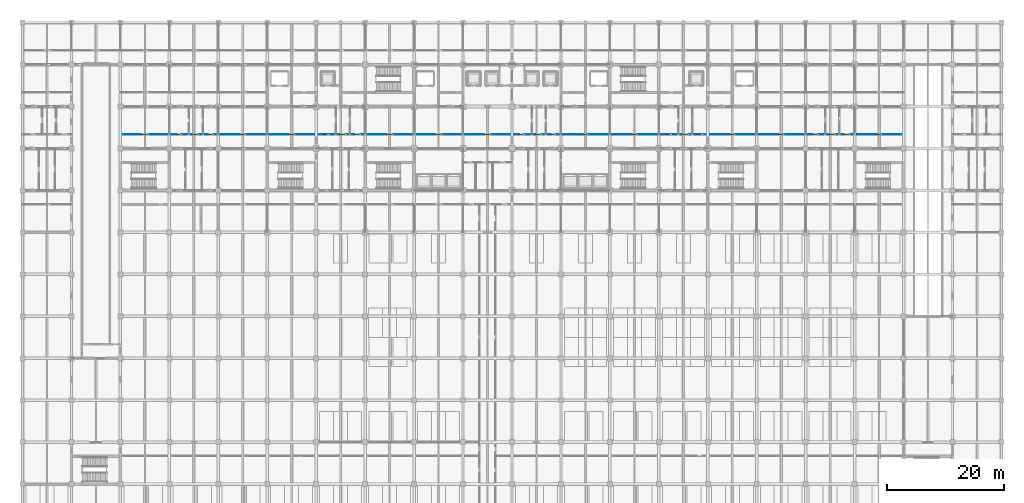
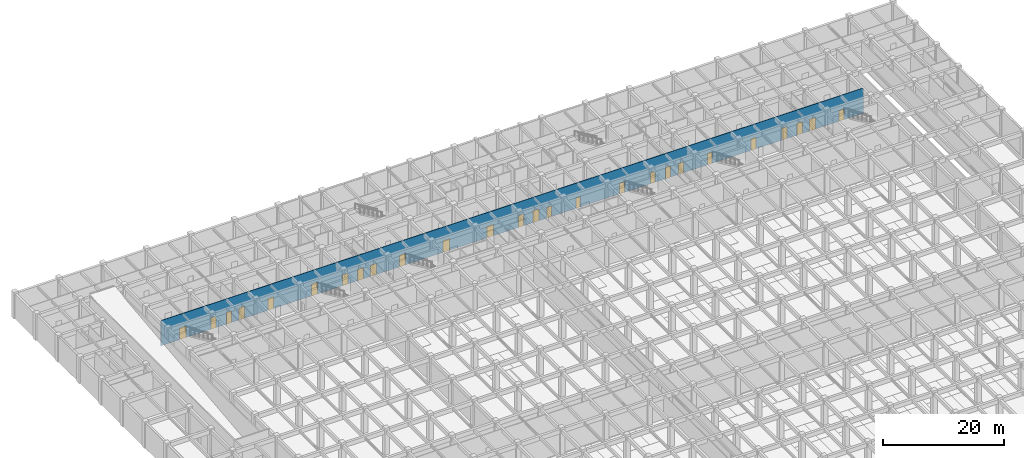
# One storey, part 30 of 48: 26 doors, 1 wall, 26 openings.
"""IFC4 building model written with IfcOpenShell, lengths in metres."""

from ifc_helpers import new_model, si_unit, direction, frame, frame_2d, origin, place, context, subcontext, project, spatial, rectangle, extrude, material, layer, layer_set, type_object, element, fill, save


model = new_model("IFC4")

# Units and contexts
model_context = context("Model", 3, precision=1e-05, world=origin(), true_north=direction((0.0, 1.0)))
body_context = subcontext(model_context, "Body", "Model", "MODEL_VIEW")
ifc_project = project(units=[si_unit("LENGTHUNIT", "METRE"), si_unit("AREAUNIT", "SQUARE_METRE"), si_unit("VOLUMEUNIT", "CUBIC_METRE"), si_unit("PLANEANGLEUNIT", "RADIAN"), si_unit("MASSUNIT", "GRAM", prefix="KILO")], contexts=[model_context])

# Site, building, storey
site_placement = place(None, origin())
site = spatial("IfcSite", under=ifc_project, at=site_placement, CompositionType="ELEMENT")
building_placement = place(site_placement, origin())
building = spatial("IfcBuilding", under=site, at=building_placement, Name="Chengyuan Square Courthouse", CompositionType="ELEMENT")
storey_placement = place(building_placement, frame((0.0, 0.0, -5.39990234375)))
storey = spatial("IfcBuildingStorey", under=building, at=storey_placement, Name="B01", CompositionType="ELEMENT", Elevation=-5.39990234375)

# Wall, openings, doors
ifc_material_1 = material(Name="Gypsum Plasterboard Acoustic Stud Partition")
ifc_layer = layer(ifc_material_1, 0.10009765625)
ifc_layer_set = layer_set([ifc_layer], Name="Gypsum Plasterboard Acoustic Stud Partition")
wall_type = type_object("IfcWallType", Name="WL-PT6", PredefinedType="STANDARD", material=ifc_layer_set)
wall_placement = place(storey_placement, frame((16.800048828125, 96.0, 0.0), z_axis=(0.0, 0.0, 1.0), x_axis=(1.0, 0.0, 0.0)))
wall = element("IfcWall", 1, at=wall_placement, inside=storey, type_object=wall_type, Name="Interior Wall WL-B01-I350", PredefinedType="STANDARD", context=body_context, shape_type="SweptSolid", body=[
    extrude(rectangle(XDim=134.39990234375, YDim=0.10009765625, at=frame_2d((67.199951171875, 0.0))), origin(), (0.0, 0.0, 1.0), 5.099853515625),
])
opening_1_placement = place(wall_placement, frame((3.56005859375, 0.0, 0.0)))
opening_1 = element("IfcOpeningElement", 2, at=opening_1_placement, cuts=wall, Name="Opening DR-487", PredefinedType="OPENING", context=body_context, shape_type="SweptSolid", body=[
    extrude(rectangle(XDim=1.280029296875, YDim=2.35009765625, at=frame_2d((0.64013671875, 1.175048828125))), frame((0.0, 0.06201171875, 0.0), z_axis=(0.0, -1.0, 0.0), x_axis=(1.0, 0.0, 0.0)), (0.0, 0.0, 1.0), 0.1240234375),
])
opening_2_placement = place(wall_placement, frame((9.6298828125, 0.0, 0.0)))
opening_2 = element("IfcOpeningElement", 3, at=opening_2_placement, cuts=wall, Name="Opening DR-488", PredefinedType="OPENING", context=body_context, shape_type="SweptSolid", body=[
    extrude(rectangle(XDim=0.93994140625, YDim=2.300048828125, at=frame_2d((0.469970703125, 1.14990234375))), frame((0.0, 0.06201171875, 0.0), z_axis=(0.0, -1.0, 0.0), x_axis=(1.0, 0.0, 0.0)), (0.0, 0.0, 1.0), 0.1240234375),
])
opening_3_placement = place(wall_placement, frame((12.510009765625, 0.0, 0.0)))
opening_3 = element("IfcOpeningElement", 4, at=opening_3_placement, cuts=wall, Name="Opening DR-489", PredefinedType="OPENING", context=body_context, shape_type="SweptSolid", body=[
    extrude(rectangle(XDim=0.97998046875, YDim=2.35009765625, at=frame_2d((0.489990234375, 1.175048828125))), frame((0.0, 0.06201171875, 0.0), z_axis=(0.0, -1.0, 0.0), x_axis=(1.0, 0.0, 0.0)), (0.0, 0.0, 1.0), 0.1240234375),
])
opening_4_placement = place(wall_placement, frame((14.989990234375, 0.0, 0.0)))
opening_4 = element("IfcOpeningElement", 5, at=opening_4_placement, cuts=wall, Name="Opening DR-490", PredefinedType="OPENING", context=body_context, shape_type="SweptSolid", body=[
    extrude(rectangle(XDim=1.02001953125, YDim=2.39990234375, at=frame_2d((0.510009765625, 1.199951171875))), frame((0.0, 0.06201171875, 0.0), z_axis=(0.0, -1.0, 0.0), x_axis=(1.0, 0.0, 0.0)), (0.0, 0.0, 1.0), 0.1240234375),
])
opening_5_placement = place(wall_placement, frame((20.469970703125, 0.0, 0.0)))
opening_5 = element("IfcOpeningElement", 6, at=opening_5_placement, cuts=wall, Name="Opening DR-491", PredefinedType="OPENING", context=body_context, shape_type="SweptSolid", body=[
    extrude(rectangle(XDim=1.06005859375, YDim=2.39990234375, at=frame_2d((0.530029296875, 1.199951171875))), frame((0.0, 0.06201171875, 0.0), z_axis=(0.0, -1.0, 0.0), x_axis=(1.0, 0.0, 0.0)), (0.0, 0.0, 1.0), 0.1240234375),
])
opening_6_placement = place(wall_placement, frame((28.830078125, 0.0, 0.0)))
opening_6 = element("IfcOpeningElement", 7, at=opening_6_placement, cuts=wall, Name="Opening DR-492", PredefinedType="OPENING", context=body_context, shape_type="SweptSolid", body=[
    extrude(rectangle(XDim=1.139892578125, YDim=2.39990234375, at=frame_2d((0.56982421875, 1.199951171875))), frame((0.0, 0.06201171875, 0.0), z_axis=(0.0, -1.0, 0.0), x_axis=(1.0, 0.0, 0.0)), (0.0, 0.0, 1.0), 0.1240234375),
])
opening_7_placement = place(wall_placement, frame((34.780029296875, 0.0, 0.0)))
opening_7 = element("IfcOpeningElement", 8, at=opening_7_placement, cuts=wall, Name="Opening DR-498", PredefinedType="OPENING", context=body_context, shape_type="SweptSolid", body=[
    extrude(rectangle(XDim=1.0400390625, YDim=2.199951171875, at=frame_2d((0.52001953125, 1.10009765625))), frame((0.0, 0.06201171875, 0.0), z_axis=(0.0, -1.0, 0.0), x_axis=(1.0, 0.0, 0.0)), (0.0, 0.0, 1.0), 0.1240234375),
])
opening_8_placement = place(wall_placement, frame((37.659912109375, 0.0, 0.0)))
opening_8 = element("IfcOpeningElement", 9, at=opening_8_placement, cuts=wall, Name="Opening DR-499", PredefinedType="OPENING", context=body_context, shape_type="SweptSolid", body=[
    extrude(rectangle(XDim=1.080078125, YDim=2.25, at=frame_2d((0.5400390625, 1.125))), frame((0.0, 0.06201171875, 0.0), z_axis=(0.0, -1.0, 0.0), x_axis=(1.0, 0.0, 0.0)), (0.0, 0.0, 1.0), 0.1240234375),
])
opening_9_placement = place(wall_placement, frame((40.139892578125, 0.0, 0.0)))
opening_9 = element("IfcOpeningElement", 10, at=opening_9_placement, cuts=wall, Name="Opening DR-500", PredefinedType="OPENING", context=body_context, shape_type="SweptSolid", body=[
    extrude(rectangle(XDim=1.1201171875, YDim=2.25, at=frame_2d((0.56005859375, 1.125))), frame((0.0, 0.06201171875, 0.0), z_axis=(0.0, -1.0, 0.0), x_axis=(1.0, 0.0, 0.0)), (0.0, 0.0, 1.0), 0.1240234375),
])
opening_10_placement = place(wall_placement, frame((45.6201171875, 0.0, 0.0)))
opening_10 = element("IfcOpeningElement", 11, at=opening_10_placement, cuts=wall, Name="Opening DR-501", PredefinedType="OPENING", context=body_context, shape_type="SweptSolid", body=[
    extrude(rectangle(XDim=1.159912109375, YDim=2.300048828125, at=frame_2d((0.580078125, 1.14990234375))), frame((0.0, 0.06201171875, 0.0), z_axis=(0.0, -1.0, 0.0), x_axis=(1.0, 0.0, 0.0)), (0.0, 0.0, 1.0), 0.1240234375),
])
opening_11_placement = place(wall_placement, frame((54.0, 0.0, 0.0)))
opening_11 = element("IfcOpeningElement", 12, at=opening_11_placement, cuts=wall, Name="Opening DR-502", PredefinedType="OPENING", context=body_context, shape_type="SweptSolid", body=[
    extrude(rectangle(XDim=1.199951171875, YDim=2.35009765625, at=frame_2d((0.60009765625, 1.175048828125))), frame((0.0, 0.06201171875, 0.0), z_axis=(0.0, -1.0, 0.0), x_axis=(1.0, 0.0, 0.0)), (0.0, 0.0, 1.0), 0.1240234375),
])
opening_12_placement = place(wall_placement, frame((62.3798828125, 0.0, 0.0)))
opening_12 = element("IfcOpeningElement", 13, at=opening_12_placement, cuts=wall, Name="Opening DR-503", PredefinedType="OPENING", context=body_context, shape_type="SweptSolid", body=[
    extrude(rectangle(XDim=1.239990234375, YDim=2.300048828125, at=frame_2d((0.6201171875, 1.14990234375))), frame((0.0, 0.06201171875, 0.0), z_axis=(0.0, -1.0, 0.0), x_axis=(1.0, 0.0, 0.0)), (0.0, 0.0, 1.0), 0.1240234375),
])
opening_13_placement = place(wall_placement, frame((68.3701171875, 0.0, 0.0)))
opening_13 = element("IfcOpeningElement", 14, at=opening_13_placement, cuts=wall, Name="Opening DR-508", PredefinedType="OPENING", context=body_context, shape_type="SweptSolid", body=[
    extrude(rectangle(XDim=1.06005859375, YDim=2.39990234375, at=frame_2d((0.530029296875, 1.199951171875))), frame((0.0, 0.06201171875, 0.0), z_axis=(0.0, -1.0, 0.0), x_axis=(1.0, 0.0, 0.0)), (0.0, 0.0, 1.0), 0.1240234375),
])
opening_14_placement = place(wall_placement, frame((71.22998046875, 0.0, 0.0)))
opening_14 = element("IfcOpeningElement", 15, at=opening_14_placement, cuts=wall, Name="Opening DR-509", PredefinedType="OPENING", context=body_context, shape_type="SweptSolid", body=[
    extrude(rectangle(XDim=1.139892578125, YDim=2.39990234375, at=frame_2d((0.56982421875, 1.199951171875))), frame((0.0, 0.06201171875, 0.0), z_axis=(0.0, -1.0, 0.0), x_axis=(1.0, 0.0, 0.0)), (0.0, 0.0, 1.0), 0.1240234375),
])
opening_15_placement = place(wall_placement, frame((73.85009765625, 0.0, 0.0)))
opening_15 = element("IfcOpeningElement", 16, at=opening_15_placement, cuts=wall, Name="Opening DR-510", PredefinedType="OPENING", context=body_context, shape_type="SweptSolid", body=[
    extrude(rectangle(XDim=0.89990234375, YDim=2.14990234375, at=frame_2d((0.449951171875, 1.074951171875))), frame((0.0, 0.06201171875, 0.0), z_axis=(0.0, -1.0, 0.0), x_axis=(1.0, 0.0, 0.0)), (0.0, 0.0, 1.0), 0.1240234375),
])
opening_16_placement = place(wall_placement, frame((79.3701171875, 0.0, 0.0)))
opening_16 = element("IfcOpeningElement", 17, at=opening_16_placement, cuts=wall, Name="Opening DR-511", PredefinedType="OPENING", context=body_context, shape_type="SweptSolid", body=[
    extrude(rectangle(XDim=0.860107421875, YDim=2.10009765625, at=frame_2d((0.43017578125, 1.050048828125))), frame((0.0, 0.06201171875, 0.0), z_axis=(0.0, -1.0, 0.0), x_axis=(1.0, 0.0, 0.0)), (0.0, 0.0, 1.0), 0.1240234375),
])
opening_17_placement = place(wall_placement, frame((87.739990234375, 0.0, 0.0)))
opening_17 = element("IfcOpeningElement", 18, at=opening_17_placement, cuts=wall, Name="Opening DR-512", PredefinedType="OPENING", context=body_context, shape_type="SweptSolid", body=[
    extrude(rectangle(XDim=0.919921875, YDim=2.14990234375, at=frame_2d((0.4599609375, 1.074951171875))), frame((0.0, 0.06201171875, 0.0), z_axis=(0.0, -1.0, 0.0), x_axis=(1.0, 0.0, 0.0)), (0.0, 0.0, 1.0), 0.1240234375),
])
opening_18_placement = place(wall_placement, frame((93.6201171875, 0.0, 0.0)))
opening_18 = element("IfcOpeningElement", 19, at=opening_18_placement, cuts=wall, Name="Opening DR-513", PredefinedType="OPENING", context=body_context, shape_type="SweptSolid", body=[
    extrude(rectangle(XDim=0.9599609375, YDim=2.199951171875, at=frame_2d((0.47998046875, 1.10009765625))), frame((0.0, 0.06201171875, 0.0), z_axis=(0.0, -1.0, 0.0), x_axis=(1.0, 0.0, 0.0)), (0.0, 0.0, 1.0), 0.1240234375),
])
opening_19_placement = place(wall_placement, frame((96.5, 0.0, 0.0)))
opening_19 = element("IfcOpeningElement", 20, at=opening_19_placement, cuts=wall, Name="Opening DR-514", PredefinedType="OPENING", context=body_context, shape_type="SweptSolid", body=[
    extrude(rectangle(XDim=1.0, YDim=2.25, at=frame_2d((0.5, 1.125))), frame((0.0, 0.06201171875, 0.0), z_axis=(0.0, -1.0, 0.0), x_axis=(1.0, 0.0, 0.0)), (0.0, 0.0, 1.0), 0.1240234375),
])
opening_20_placement = place(wall_placement, frame((98.97998046875, 0.0, 0.0)))
opening_20 = element("IfcOpeningElement", 21, at=opening_20_placement, cuts=wall, Name="Opening DR-515", PredefinedType="OPENING", context=body_context, shape_type="SweptSolid", body=[
    extrude(rectangle(XDim=1.0400390625, YDim=2.199951171875, at=frame_2d((0.52001953125, 1.10009765625))), frame((0.0, 0.06201171875, 0.0), z_axis=(0.0, -1.0, 0.0), x_axis=(1.0, 0.0, 0.0)), (0.0, 0.0, 1.0), 0.1240234375),
])
opening_21_placement = place(wall_placement, frame((104.530029296875, 0.0, 0.0)))
opening_21 = element("IfcOpeningElement", 22, at=opening_21_placement, cuts=wall, Name="Opening DR-522", PredefinedType="OPENING", context=body_context, shape_type="SweptSolid", body=[
    extrude(rectangle(XDim=0.93994140625, YDim=2.300048828125, at=frame_2d((0.469970703125, 1.14990234375))), frame((0.0, 0.06201171875, 0.0), z_axis=(0.0, -1.0, 0.0), x_axis=(1.0, 0.0, 0.0)), (0.0, 0.0, 1.0), 0.1240234375),
])
opening_22_placement = place(wall_placement, frame((112.909912109375, 0.0, 0.0)))
opening_22 = element("IfcOpeningElement", 23, at=opening_22_placement, cuts=wall, Name="Opening DR-523", PredefinedType="OPENING", context=body_context, shape_type="SweptSolid", body=[
    extrude(rectangle(XDim=0.97998046875, YDim=2.35009765625, at=frame_2d((0.489990234375, 1.175048828125))), frame((0.0, 0.06201171875, 0.0), z_axis=(0.0, -1.0, 0.0), x_axis=(1.0, 0.0, 0.0)), (0.0, 0.0, 1.0), 0.1240234375),
])
opening_23_placement = place(wall_placement, frame((118.7900390625, 0.0, 0.0)))
opening_23 = element("IfcOpeningElement", 24, at=opening_23_placement, cuts=wall, Name="Opening DR-524", PredefinedType="OPENING", context=body_context, shape_type="SweptSolid", body=[
    extrude(rectangle(XDim=1.02001953125, YDim=2.39990234375, at=frame_2d((0.510009765625, 1.199951171875))), frame((0.0, 0.06201171875, 0.0), z_axis=(0.0, -1.0, 0.0), x_axis=(1.0, 0.0, 0.0)), (0.0, 0.0, 1.0), 0.1240234375),
])
opening_24_placement = place(wall_placement, frame((121.669921875, 0.0, 0.0)))
opening_24 = element("IfcOpeningElement", 25, at=opening_24_placement, cuts=wall, Name="Opening DR-525", PredefinedType="OPENING", context=body_context, shape_type="SweptSolid", body=[
    extrude(rectangle(XDim=1.06005859375, YDim=2.39990234375, at=frame_2d((0.530029296875, 1.199951171875))), frame((0.0, 0.06201171875, 0.0), z_axis=(0.0, -1.0, 0.0), x_axis=(1.0, 0.0, 0.0)), (0.0, 0.0, 1.0), 0.1240234375),
])
opening_25_placement = place(wall_placement, frame((124.1298828125, 0.0, 0.0)))
opening_25 = element("IfcOpeningElement", 26, at=opening_25_placement, cuts=wall, Name="Opening DR-526", PredefinedType="OPENING", context=body_context, shape_type="SweptSolid", body=[
    extrude(rectangle(XDim=1.139892578125, YDim=2.39990234375, at=frame_2d((0.56982421875, 1.199951171875))), frame((0.0, 0.06201171875, 0.0), z_axis=(0.0, -1.0, 0.0), x_axis=(1.0, 0.0, 0.0)), (0.0, 0.0, 1.0), 0.1240234375),
])
opening_26_placement = place(wall_placement, frame((129.75, 0.0, 0.0)))
opening_26 = element("IfcOpeningElement", 27, at=opening_26_placement, cuts=wall, Name="Opening DR-527", PredefinedType="OPENING", context=body_context, shape_type="SweptSolid", body=[
    extrude(rectangle(XDim=0.89990234375, YDim=2.14990234375, at=frame_2d((0.449951171875, 1.074951171875))), frame((0.0, 0.06201171875, 0.0), z_axis=(0.0, -1.0, 0.0), x_axis=(1.0, 0.0, 0.0)), (0.0, 0.0, 1.0), 0.1240234375),
])
ifc_material_2 = material(Name="Acoustic Solid-Core Timber Door", Category="wood")
door_type_1 = type_object("IfcDoorType", Name="DT-27", OperationType="NOTDEFINED", PredefinedType="DOOR", material=ifc_material_2)
door_1_placement = place(opening_15_placement, origin())
door_1 = element("IfcDoor", 28, at=door_1_placement, inside=storey, type_object=door_type_1, Name="Interior Door DR-510", OperationType="SINGLE_SWING_RIGHT", OverallHeight=2.14990234375, OverallWidth=0.89990234375, PredefinedType="DOOR", context=body_context, shape_type="SweptSolid", body=[
    extrude(rectangle(XDim=0.89990234375, YDim=2.14990234375, at=frame_2d((0.449951171875, 1.074951171875))), frame((0.0, 0.02490234375, 0.0), z_axis=(0.0, -1.0, 0.0), x_axis=(1.0, 0.0, 0.0)), (0.0, 0.0, 1.0), 0.050048828125),
])
fill(opening_15, door_1)
door_2_placement = place(opening_26_placement, origin())
door_2 = element("IfcDoor", 29, at=door_2_placement, inside=storey, type_object=door_type_1, Name="Interior Door DR-527", OperationType="SINGLE_SWING_LEFT", OverallHeight=2.14990234375, OverallWidth=0.89990234375, PredefinedType="DOOR", context=body_context, shape_type="SweptSolid", body=[
    extrude(rectangle(XDim=0.89990234375, YDim=2.14990234375, at=frame_2d((0.449951171875, 1.074951171875))), frame((0.0, 0.02490234375, 0.0), z_axis=(0.0, -1.0, 0.0), x_axis=(1.0, 0.0, 0.0)), (0.0, 0.0, 1.0), 0.050048828125),
])
fill(opening_26, door_2)
door_type_2 = type_object("IfcDoorType", Name="DT-28", OperationType="NOTDEFINED", PredefinedType="DOOR", material=ifc_material_2)
door_3_placement = place(opening_16_placement, origin())
door_3 = element("IfcDoor", 30, at=door_3_placement, inside=storey, type_object=door_type_2, Name="Interior Door DR-511", OperationType="SINGLE_SWING_LEFT", OverallHeight=2.10009765625, OverallWidth=0.860107421875, PredefinedType="DOOR", context=body_context, shape_type="SweptSolid", body=[
    extrude(rectangle(XDim=0.860107421875, YDim=2.10009765625, at=frame_2d((0.43017578125, 1.050048828125))), frame((0.0, 0.02490234375, 0.0), z_axis=(0.0, -1.0, 0.0), x_axis=(1.0, 0.0, 0.0)), (0.0, 0.0, 1.0), 0.050048828125),
])
fill(opening_16, door_3)
door_type_3 = type_object("IfcDoorType", Name="DT-29", OperationType="NOTDEFINED", PredefinedType="DOOR", material=ifc_material_2)
door_4_placement = place(opening_17_placement, origin())
door_4 = element("IfcDoor", 31, at=door_4_placement, inside=storey, type_object=door_type_3, Name="Interior Door DR-512", OperationType="SINGLE_SWING_RIGHT", OverallHeight=2.14990234375, OverallWidth=0.919921875, PredefinedType="DOOR", context=body_context, shape_type="SweptSolid", body=[
    extrude(rectangle(XDim=0.919921875, YDim=2.14990234375, at=frame_2d((0.4599609375, 1.074951171875))), frame((0.0, 0.02490234375, 0.0), z_axis=(0.0, -1.0, 0.0), x_axis=(1.0, 0.0, 0.0)), (0.0, 0.0, 1.0), 0.050048828125),
])
fill(opening_17, door_4)
door_type_4 = type_object("IfcDoorType", Name="DT-30", OperationType="NOTDEFINED", PredefinedType="DOOR", material=ifc_material_2)
door_5_placement = place(opening_18_placement, origin())
door_5 = element("IfcDoor", 32, at=door_5_placement, inside=storey, type_object=door_type_4, Name="Interior Door DR-513", OperationType="SINGLE_SWING_LEFT", OverallHeight=2.199951171875, OverallWidth=0.9599609375, PredefinedType="DOOR", context=body_context, shape_type="SweptSolid", body=[
    extrude(rectangle(XDim=0.9599609375, YDim=2.199951171875, at=frame_2d((0.47998046875, 1.10009765625))), frame((0.0, 0.02490234375, 0.0), z_axis=(0.0, -1.0, 0.0), x_axis=(1.0, 0.0, 0.0)), (0.0, 0.0, 1.0), 0.050048828125),
])
fill(opening_18, door_5)
door_type_5 = type_object("IfcDoorType", Name="DT-31", OperationType="NOTDEFINED", PredefinedType="DOOR", material=ifc_material_2)
door_6_placement = place(opening_19_placement, origin())
door_6 = element("IfcDoor", 33, at=door_6_placement, inside=storey, type_object=door_type_5, Name="Interior Door DR-514", OperationType="SINGLE_SWING_RIGHT", OverallHeight=2.25, OverallWidth=1.0, PredefinedType="DOOR", context=body_context, shape_type="SweptSolid", body=[
    extrude(rectangle(XDim=1.0, YDim=2.25, at=frame_2d((0.5, 1.125))), frame((0.0, 0.02490234375, 0.0), z_axis=(0.0, -1.0, 0.0), x_axis=(1.0, 0.0, 0.0)), (0.0, 0.0, 1.0), 0.050048828125),
])
fill(opening_19, door_6)
door_type_6 = type_object("IfcDoorType", Name="DT-32", OperationType="NOTDEFINED", PredefinedType="DOOR", material=ifc_material_2)
door_7_placement = place(opening_7_placement, origin())
door_7 = element("IfcDoor", 34, at=door_7_placement, inside=storey, type_object=door_type_6, Name="Interior Door DR-498", OperationType="SINGLE_SWING_RIGHT", OverallHeight=2.199951171875, OverallWidth=1.0400390625, PredefinedType="DOOR", context=body_context, shape_type="SweptSolid", body=[
    extrude(rectangle(XDim=1.0400390625, YDim=2.199951171875, at=frame_2d((0.52001953125, 1.10009765625))), frame((0.0, 0.02490234375, 0.0), z_axis=(0.0, -1.0, 0.0), x_axis=(1.0, 0.0, 0.0)), (0.0, 0.0, 1.0), 0.050048828125),
])
fill(opening_7, door_7)
door_8_placement = place(opening_20_placement, origin())
door_8 = element("IfcDoor", 35, at=door_8_placement, inside=storey, type_object=door_type_6, Name="Interior Door DR-515", OperationType="SINGLE_SWING_LEFT", OverallHeight=2.199951171875, OverallWidth=1.0400390625, PredefinedType="DOOR", context=body_context, shape_type="SweptSolid", body=[
    extrude(rectangle(XDim=1.0400390625, YDim=2.199951171875, at=frame_2d((0.52001953125, 1.10009765625))), frame((0.0, 0.02490234375, 0.0), z_axis=(0.0, -1.0, 0.0), x_axis=(1.0, 0.0, 0.0)), (0.0, 0.0, 1.0), 0.050048828125),
])
fill(opening_20, door_8)
door_type_7 = type_object("IfcDoorType", Name="DT-33", OperationType="NOTDEFINED", PredefinedType="DOOR", material=ifc_material_2)
door_9_placement = place(opening_8_placement, origin())
door_9 = element("IfcDoor", 36, at=door_9_placement, inside=storey, type_object=door_type_7, Name="Interior Door DR-499", OperationType="SINGLE_SWING_LEFT", OverallHeight=2.25, OverallWidth=1.080078125, PredefinedType="DOOR", context=body_context, shape_type="SweptSolid", body=[
    extrude(rectangle(XDim=1.080078125, YDim=2.25, at=frame_2d((0.5400390625, 1.125))), frame((0.0, 0.02490234375, 0.0), z_axis=(0.0, -1.0, 0.0), x_axis=(1.0, 0.0, 0.0)), (0.0, 0.0, 1.0), 0.050048828125),
])
fill(opening_8, door_9)
door_type_8 = type_object("IfcDoorType", Name="DT-34", OperationType="NOTDEFINED", PredefinedType="DOOR", material=ifc_material_2)
door_10_placement = place(opening_9_placement, origin())
door_10 = element("IfcDoor", 37, at=door_10_placement, inside=storey, type_object=door_type_8, Name="Interior Door DR-500", OperationType="SINGLE_SWING_RIGHT", OverallHeight=2.25, OverallWidth=1.1201171875, PredefinedType="DOOR", context=body_context, shape_type="SweptSolid", body=[
    extrude(rectangle(XDim=1.1201171875, YDim=2.25, at=frame_2d((0.56005859375, 1.125))), frame((0.0, 0.02490234375, 0.0), z_axis=(0.0, -1.0, 0.0), x_axis=(1.0, 0.0, 0.0)), (0.0, 0.0, 1.0), 0.050048828125),
])
fill(opening_9, door_10)
door_type_9 = type_object("IfcDoorType", Name="DT-35", OperationType="NOTDEFINED", PredefinedType="DOOR", material=ifc_material_2)
door_11_placement = place(opening_10_placement, origin())
door_11 = element("IfcDoor", 38, at=door_11_placement, inside=storey, type_object=door_type_9, Name="Interior Door DR-501", OperationType="SINGLE_SWING_LEFT", OverallHeight=2.300048828125, OverallWidth=1.159912109375, PredefinedType="DOOR", context=body_context, shape_type="SweptSolid", body=[
    extrude(rectangle(XDim=1.159912109375, YDim=2.300048828125, at=frame_2d((0.580078125, 1.14990234375))), frame((0.0, 0.02490234375, 0.0), z_axis=(0.0, -1.0, 0.0), x_axis=(1.0, 0.0, 0.0)), (0.0, 0.0, 1.0), 0.050048828125),
])
fill(opening_10, door_11)
door_type_10 = type_object("IfcDoorType", Name="DT-36", OperationType="NOTDEFINED", PredefinedType="DOOR", material=ifc_material_2)
door_12_placement = place(opening_11_placement, origin())
door_12 = element("IfcDoor", 39, at=door_12_placement, inside=storey, type_object=door_type_10, Name="Interior Door DR-502", OperationType="SINGLE_SWING_RIGHT", OverallHeight=2.35009765625, OverallWidth=1.199951171875, PredefinedType="DOOR", context=body_context, shape_type="SweptSolid", body=[
    extrude(rectangle(XDim=1.199951171875, YDim=2.35009765625, at=frame_2d((0.60009765625, 1.175048828125))), frame((0.0, 0.02490234375, 0.0), z_axis=(0.0, -1.0, 0.0), x_axis=(1.0, 0.0, 0.0)), (0.0, 0.0, 1.0), 0.050048828125),
])
fill(opening_11, door_12)
door_type_11 = type_object("IfcDoorType", Name="DT-37", OperationType="NOTDEFINED", PredefinedType="DOOR", material=ifc_material_2)
door_13_placement = place(opening_12_placement, origin())
door_13 = element("IfcDoor", 40, at=door_13_placement, inside=storey, type_object=door_type_11, Name="Interior Door DR-503", OperationType="SINGLE_SWING_LEFT", OverallHeight=2.300048828125, OverallWidth=1.239990234375, PredefinedType="DOOR", context=body_context, shape_type="SweptSolid", body=[
    extrude(rectangle(XDim=1.239990234375, YDim=2.300048828125, at=frame_2d((0.6201171875, 1.14990234375))), frame((0.0, 0.02490234375, 0.0), z_axis=(0.0, -1.0, 0.0), x_axis=(1.0, 0.0, 0.0)), (0.0, 0.0, 1.0), 0.050048828125),
])
fill(opening_12, door_13)
door_type_12 = type_object("IfcDoorType", Name="DT-38", OperationType="NOTDEFINED", PredefinedType="DOOR", material=ifc_material_2)
door_14_placement = place(opening_1_placement, origin())
door_14 = element("IfcDoor", 41, at=door_14_placement, inside=storey, type_object=door_type_12, Name="Interior Door DR-487", OperationType="SINGLE_SWING_RIGHT", OverallHeight=2.35009765625, OverallWidth=1.280029296875, PredefinedType="DOOR", context=body_context, shape_type="SweptSolid", body=[
    extrude(rectangle(XDim=1.280029296875, YDim=2.35009765625, at=frame_2d((0.64013671875, 1.175048828125))), frame((0.0, 0.02490234375, 0.0), z_axis=(0.0, -1.0, 0.0), x_axis=(1.0, 0.0, 0.0)), (0.0, 0.0, 1.0), 0.050048828125),
])
fill(opening_1, door_14)
door_type_13 = type_object("IfcDoorType", Name="DT-39", OperationType="NOTDEFINED", PredefinedType="DOOR", material=ifc_material_2)
door_15_placement = place(opening_2_placement, origin())
door_15 = element("IfcDoor", 42, at=door_15_placement, inside=storey, type_object=door_type_13, Name="Interior Door DR-488", OperationType="SINGLE_SWING_LEFT", OverallHeight=2.300048828125, OverallWidth=0.93994140625, PredefinedType="DOOR", context=body_context, shape_type="SweptSolid", body=[
    extrude(rectangle(XDim=0.93994140625, YDim=2.300048828125, at=frame_2d((0.469970703125, 1.14990234375))), frame((0.0, 0.02490234375, 0.0), z_axis=(0.0, -1.0, 0.0), x_axis=(1.0, 0.0, 0.0)), (0.0, 0.0, 1.0), 0.050048828125),
])
fill(opening_2, door_15)
door_16_placement = place(opening_21_placement, origin())
door_16 = element("IfcDoor", 43, at=door_16_placement, inside=storey, type_object=door_type_13, Name="Interior Door DR-522", OperationType="SINGLE_SWING_RIGHT", OverallHeight=2.300048828125, OverallWidth=0.93994140625, PredefinedType="DOOR", context=body_context, shape_type="SweptSolid", body=[
    extrude(rectangle(XDim=0.93994140625, YDim=2.300048828125, at=frame_2d((0.469970703125, 1.14990234375))), frame((0.0, 0.02490234375, 0.0), z_axis=(0.0, -1.0, 0.0), x_axis=(1.0, 0.0, 0.0)), (0.0, 0.0, 1.0), 0.050048828125),
])
fill(opening_21, door_16)
door_type_14 = type_object("IfcDoorType", Name="DT-40", OperationType="NOTDEFINED", PredefinedType="DOOR", material=ifc_material_2)
door_17_placement = place(opening_3_placement, origin())
door_17 = element("IfcDoor", 44, at=door_17_placement, inside=storey, type_object=door_type_14, Name="Interior Door DR-489", OperationType="SINGLE_SWING_RIGHT", OverallHeight=2.35009765625, OverallWidth=0.97998046875, PredefinedType="DOOR", context=body_context, shape_type="SweptSolid", body=[
    extrude(rectangle(XDim=0.97998046875, YDim=2.35009765625, at=frame_2d((0.489990234375, 1.175048828125))), frame((0.0, 0.02490234375, 0.0), z_axis=(0.0, -1.0, 0.0), x_axis=(1.0, 0.0, 0.0)), (0.0, 0.0, 1.0), 0.050048828125),
])
fill(opening_3, door_17)
door_18_placement = place(opening_22_placement, origin())
door_18 = element("IfcDoor", 45, at=door_18_placement, inside=storey, type_object=door_type_14, Name="Interior Door DR-523", OperationType="SINGLE_SWING_LEFT", OverallHeight=2.35009765625, OverallWidth=0.97998046875, PredefinedType="DOOR", context=body_context, shape_type="SweptSolid", body=[
    extrude(rectangle(XDim=0.97998046875, YDim=2.35009765625, at=frame_2d((0.489990234375, 1.175048828125))), frame((0.0, 0.02490234375, 0.0), z_axis=(0.0, -1.0, 0.0), x_axis=(1.0, 0.0, 0.0)), (0.0, 0.0, 1.0), 0.050048828125),
])
fill(opening_22, door_18)
door_type_15 = type_object("IfcDoorType", Name="DT-41", OperationType="NOTDEFINED", PredefinedType="DOOR", material=ifc_material_2)
door_19_placement = place(opening_4_placement, origin())
door_19 = element("IfcDoor", 46, at=door_19_placement, inside=storey, type_object=door_type_15, Name="Interior Door DR-490", OperationType="SINGLE_SWING_LEFT", OverallHeight=2.39990234375, OverallWidth=1.02001953125, PredefinedType="DOOR", context=body_context, shape_type="SweptSolid", body=[
    extrude(rectangle(XDim=1.02001953125, YDim=2.39990234375, at=frame_2d((0.510009765625, 1.199951171875))), frame((0.0, 0.02490234375, 0.0), z_axis=(0.0, -1.0, 0.0), x_axis=(1.0, 0.0, 0.0)), (0.0, 0.0, 1.0), 0.050048828125),
])
fill(opening_4, door_19)
door_20_placement = place(opening_23_placement, origin())
door_20 = element("IfcDoor", 47, at=door_20_placement, inside=storey, type_object=door_type_15, Name="Interior Door DR-524", OperationType="SINGLE_SWING_RIGHT", OverallHeight=2.39990234375, OverallWidth=1.02001953125, PredefinedType="DOOR", context=body_context, shape_type="SweptSolid", body=[
    extrude(rectangle(XDim=1.02001953125, YDim=2.39990234375, at=frame_2d((0.510009765625, 1.199951171875))), frame((0.0, 0.02490234375, 0.0), z_axis=(0.0, -1.0, 0.0), x_axis=(1.0, 0.0, 0.0)), (0.0, 0.0, 1.0), 0.050048828125),
])
fill(opening_23, door_20)
door_type_16 = type_object("IfcDoorType", Name="DT-42", OperationType="NOTDEFINED", PredefinedType="DOOR", material=ifc_material_2)
door_21_placement = place(opening_5_placement, origin())
door_21 = element("IfcDoor", 48, at=door_21_placement, inside=storey, type_object=door_type_16, Name="Interior Door DR-491", OperationType="SINGLE_SWING_RIGHT", OverallHeight=2.39990234375, OverallWidth=1.06005859375, PredefinedType="DOOR", context=body_context, shape_type="SweptSolid", body=[
    extrude(rectangle(XDim=1.06005859375, YDim=2.39990234375, at=frame_2d((0.530029296875, 1.199951171875))), frame((0.0, 0.02490234375, 0.0), z_axis=(0.0, -1.0, 0.0), x_axis=(1.0, 0.0, 0.0)), (0.0, 0.0, 1.0), 0.050048828125),
])
fill(opening_5, door_21)
door_22_placement = place(opening_13_placement, origin())
door_22 = element("IfcDoor", 49, at=door_22_placement, inside=storey, type_object=door_type_16, Name="Interior Door DR-508", OperationType="SINGLE_SWING_RIGHT", OverallHeight=2.39990234375, OverallWidth=1.06005859375, PredefinedType="DOOR", context=body_context, shape_type="SweptSolid", body=[
    extrude(rectangle(XDim=1.06005859375, YDim=2.39990234375, at=frame_2d((0.530029296875, 1.199951171875))), frame((0.0, 0.02490234375, 0.0), z_axis=(0.0, -1.0, 0.0), x_axis=(1.0, 0.0, 0.0)), (0.0, 0.0, 1.0), 0.050048828125),
])
fill(opening_13, door_22)
door_23_placement = place(opening_24_placement, origin())
door_23 = element("IfcDoor", 50, at=door_23_placement, inside=storey, type_object=door_type_16, Name="Interior Door DR-525", OperationType="SINGLE_SWING_LEFT", OverallHeight=2.39990234375, OverallWidth=1.06005859375, PredefinedType="DOOR", context=body_context, shape_type="SweptSolid", body=[
    extrude(rectangle(XDim=1.06005859375, YDim=2.39990234375, at=frame_2d((0.530029296875, 1.199951171875))), frame((0.0, 0.02490234375, 0.0), z_axis=(0.0, -1.0, 0.0), x_axis=(1.0, 0.0, 0.0)), (0.0, 0.0, 1.0), 0.050048828125),
])
fill(opening_24, door_23)
door_type_17 = type_object("IfcDoorType", Name="DT-43", OperationType="NOTDEFINED", PredefinedType="DOOR", material=ifc_material_2)
door_24_placement = place(opening_6_placement, origin())
door_24 = element("IfcDoor", 51, at=door_24_placement, inside=storey, type_object=door_type_17, Name="Interior Door DR-492", OperationType="SINGLE_SWING_LEFT", OverallHeight=2.39990234375, OverallWidth=1.139892578125, PredefinedType="DOOR", context=body_context, shape_type="SweptSolid", body=[
    extrude(rectangle(XDim=1.139892578125, YDim=2.39990234375, at=frame_2d((0.56982421875, 1.199951171875))), frame((0.0, 0.02490234375, 0.0), z_axis=(0.0, -1.0, 0.0), x_axis=(1.0, 0.0, 0.0)), (0.0, 0.0, 1.0), 0.050048828125),
])
fill(opening_6, door_24)
door_25_placement = place(opening_14_placement, origin())
door_25 = element("IfcDoor", 52, at=door_25_placement, inside=storey, type_object=door_type_17, Name="Interior Door DR-509", OperationType="SINGLE_SWING_LEFT", OverallHeight=2.39990234375, OverallWidth=1.139892578125, PredefinedType="DOOR", context=body_context, shape_type="SweptSolid", body=[
    extrude(rectangle(XDim=1.139892578125, YDim=2.39990234375, at=frame_2d((0.56982421875, 1.199951171875))), frame((0.0, 0.02490234375, 0.0), z_axis=(0.0, -1.0, 0.0), x_axis=(1.0, 0.0, 0.0)), (0.0, 0.0, 1.0), 0.050048828125),
])
fill(opening_14, door_25)
door_26_placement = place(opening_25_placement, origin())
door_26 = element("IfcDoor", 53, at=door_26_placement, inside=storey, type_object=door_type_17, Name="Interior Door DR-526", OperationType="SINGLE_SWING_RIGHT", OverallHeight=2.39990234375, OverallWidth=1.139892578125, PredefinedType="DOOR", context=body_context, shape_type="SweptSolid", body=[
    extrude(rectangle(XDim=1.139892578125, YDim=2.39990234375, at=frame_2d((0.56982421875, 1.199951171875))), frame((0.0, 0.02490234375, 0.0), z_axis=(0.0, -1.0, 0.0), x_axis=(1.0, 0.0, 0.0)), (0.0, 0.0, 1.0), 0.050048828125),
])
fill(opening_25, door_26)

save(model, "model.ifc")
